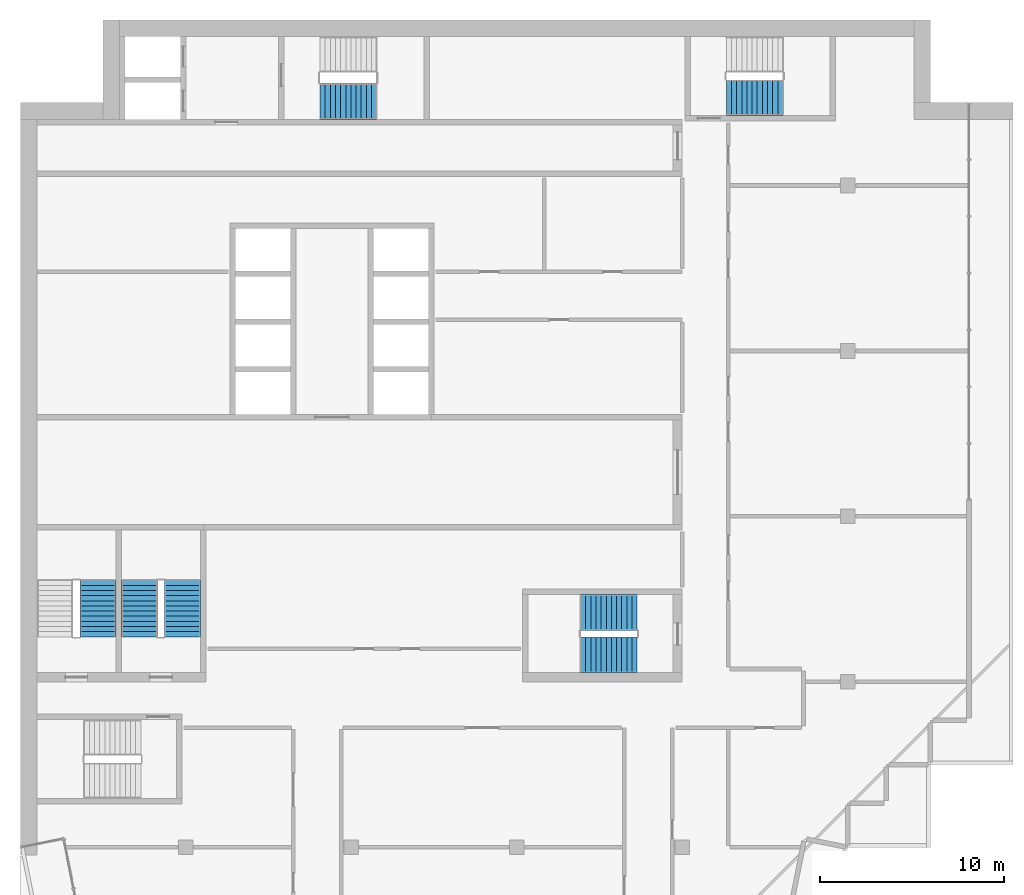
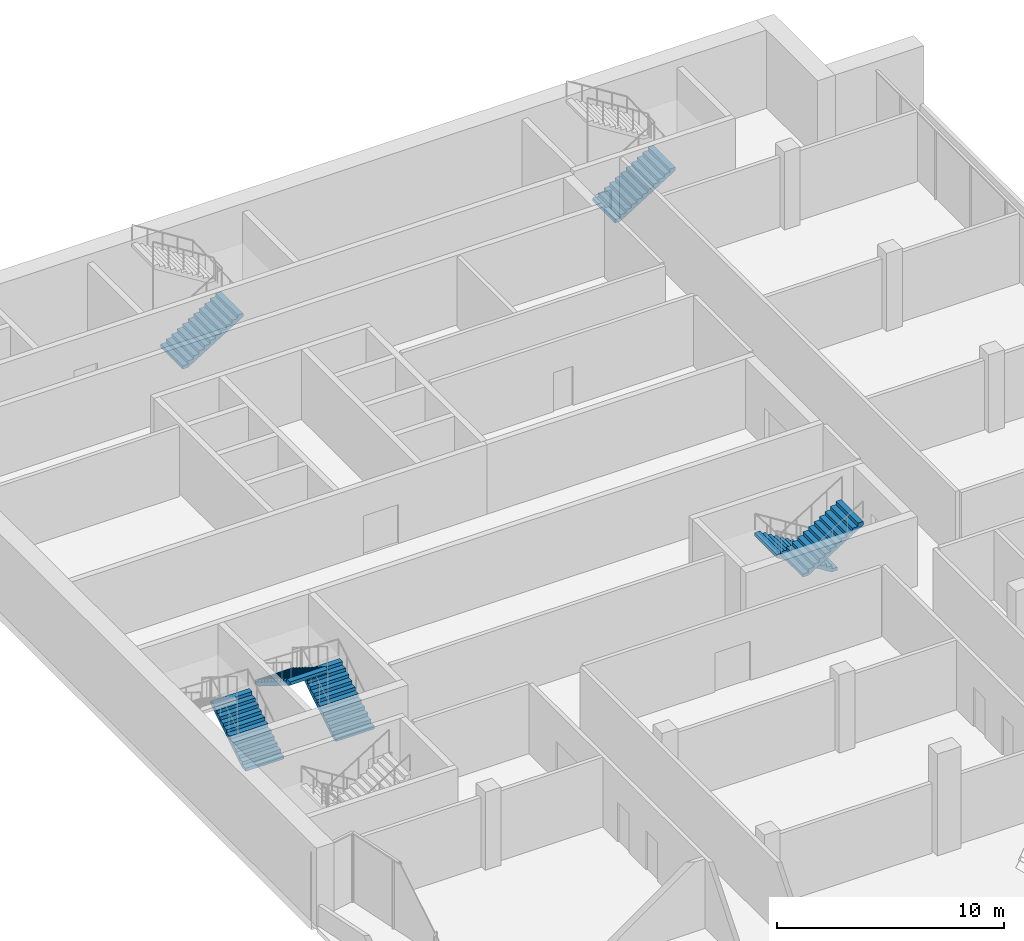
# One storey, part 8 of 11: 7 stair flights, 5 elements without a shape of their own.
"""IFC4 building model written with IfcOpenShell, lengths in metres."""

import ifcopenshell
import ifcopenshell.guid

model = None  # the IFC model being written
_history = None  # IfcOwnerHistory: only IFC2X3 demands one
_inside = {}  # id of a spatial element -> (the spatial element, [elements in it])
_under = {}  # id of a project, library or spatial element -> (it, [spatial elements below it])
_declared = {}  # id of a project -> (the project, [libraries it declares])
_typed = {}  # id of a type object -> (the type object, [elements of that type])
_made_of = {}  # id of a material, layer set ... -> (it, [elements and type objects made of it])


def new_model(schema):
    """Start an empty IFC model of exactly this schema.

    Asked for "IFC4X3", IfcOpenShell would pick the latest addendum, in which some entities
    have other attributes; the version numbers below select the first issue.
    IFC2X3 requires an IfcOwnerHistory on every rooted entity: one is made here for all.
    """
    global model, _history
    if schema == "IFC4X3":
        model = ifcopenshell.file(schema_version=(4, 3, 0, 0))
    else:
        model = ifcopenshell.file(schema=schema)
    _inside.clear()
    _under.clear()
    _declared.clear()
    _typed.clear()
    _made_of.clear()
    _history = None
    if model.schema == "IFC2X3":
        org = make("IfcOrganization", Name="unknown")
        user = make(
            "IfcPersonAndOrganization",
            ThePerson=make("IfcPerson", FamilyName="unknown"),
            TheOrganization=org,
        )
        app = make(
            "IfcApplication",
            ApplicationDeveloper=org,
            Version="unknown",
            ApplicationFullName="unknown",
            ApplicationIdentifier="unknown",
        )
        _history = make(
            "IfcOwnerHistory",
            OwningUser=user,
            OwningApplication=app,
            ChangeAction="ADDED",
            CreationDate=0,
        )
    return model


def make(cls, **values):
    """One entity of the class cls with the attributes given. An attribute that is None is left unset."""
    return model.create_entity(
        cls, **{name: value for name, value in values.items() if value is not None}
    )


def rooted(cls, **values):
    """An entity with a GlobalId (a new one), such as an element, a storey or a relation."""
    return make(cls, GlobalId=ifcopenshell.guid.new(), OwnerHistory=_history, **values)


def si_unit(unit_type, name, prefix=None):
    """IfcSIUnit, for example si_unit("LENGTHUNIT", "METRE", prefix="MILLI")."""
    return make("IfcSIUnit", UnitType=unit_type, Prefix=prefix, Name=name)


def assignment(units):
    """IfcUnitAssignment: the units of a project."""
    return None if units is None else make("IfcUnitAssignment", Units=units)


def point(xyz):
    """IfcCartesianPoint."""
    return None if xyz is None else make("IfcCartesianPoint", Coordinates=xyz)


def direction(xyz):
    """IfcDirection."""
    return None if xyz is None else make("IfcDirection", DirectionRatios=xyz)


def frame(location, z_axis=None, x_axis=None):
    """IfcAxis2Placement3D, a coordinate frame: its origin and axes. An axis left out is left unset."""
    return make(
        "IfcAxis2Placement3D",
        Location=point(location),
        Axis=direction(z_axis),
        RefDirection=direction(x_axis),
    )


def origin():
    """The frame at (0, 0, 0) with its axes left unset."""
    return frame((0.0, 0.0, 0.0))


def place(relative_to, where):
    """IfcLocalPlacement: puts the frame where relative to a parent placement (None: the world)."""
    return make(
        "IfcLocalPlacement", PlacementRelTo=relative_to, RelativePlacement=where
    )


def context(
    kind, dimensions, precision=None, world=None, true_north=None, identifier=None
):
    """IfcGeometricRepresentationContext, for example the 3D "Model" context."""
    return make(
        "IfcGeometricRepresentationContext",
        ContextIdentifier=identifier,
        ContextType=kind,
        CoordinateSpaceDimension=dimensions,
        Precision=precision,
        WorldCoordinateSystem=world,
        TrueNorth=true_north,
    )


def subcontext(parent, identifier, kind, view, scale=None):
    """IfcGeometricRepresentationSubContext, for example "Body" below "Model"."""
    return make(
        "IfcGeometricRepresentationSubContext",
        ContextIdentifier=identifier,
        ContextType=kind,
        ParentContext=parent,
        TargetScale=scale,
        TargetView=view,
    )


def project(units=None, contexts=None):
    """IfcProject with its units and contexts."""
    return rooted(
        "IfcProject",
        Name="project",
        RepresentationContexts=contexts,
        UnitsInContext=assignment(units),
    )


def spatial(cls, under=None, at=None, **own):
    """A site, building, storey or space (cls), placed at a placement, below another one or the project."""
    s = rooted(cls, ObjectPlacement=at, **own)
    if under is not None:
        _under.setdefault(under.id(), (under, []))[1].append(s)
    return s


def polyline(points):
    """IfcPolyline through the points."""
    return make("IfcPolyline", Points=[point(p) for p in points])


def outline(outer, holes=None, kind="AREA"):
    """IfcArbitraryClosedProfileDef: a profile drawn as a closed curve; with holes, ...WithVoids."""
    if holes is None:
        return make("IfcArbitraryClosedProfileDef", ProfileType=kind, OuterCurve=outer)
    return make(
        "IfcArbitraryProfileDefWithVoids",
        ProfileType=kind,
        OuterCurve=outer,
        InnerCurves=holes,
    )


def extrude(swept, where, along, depth):
    """IfcExtrudedAreaSolid: the profile swept, set in the frame where, extruded along a direction by depth."""
    return make(
        "IfcExtrudedAreaSolid",
        SweptArea=swept,
        Position=where,
        ExtrudedDirection=direction(along),
        Depth=depth,
    )


def shape(context_of_items, identifier, shape_type, items):
    """IfcShapeRepresentation: the items that make up one representation, for example the "Body"."""
    return make(
        "IfcShapeRepresentation",
        ContextOfItems=context_of_items,
        RepresentationIdentifier=identifier,
        RepresentationType=shape_type,
        Items=items,
    )


def material(Name=None, Category=None):
    """IfcMaterial."""
    return make("IfcMaterial", Name=Name, Category=Category)


def made_of(thing, what):
    """Note that an element or type object is made of a material, layer set ...; save() writes the relation."""
    if what is not None:
        _made_of.setdefault(what.id(), (what, []))[1].append(thing)
    return thing


def type_object(cls, material=None, **own):
    """A type object (cls), such as IfcWallType, which elements share."""
    return made_of(rooted(cls, **own), material)


def element(
    cls,
    number,
    at=None,
    inside=None,
    cuts=None,
    type_object=None,
    material=None,
    context=None,
    identifier="Body",
    shape_type=None,
    held_by="IfcProductDefinitionShape",
    body=None,
    shapes=None,
    **own,
):
    """One element of the class cls, such as IfcWall. Its Tag is "e" and its number.

    at: its placement. inside: the storey or other place that contains it. cuts: it is an
    opening in that element (IfcRelVoidsElement). A single representation is given by context,
    identifier, shape_type and body (its items); several are given by shapes. held_by: the class
    of the entity that holds the representations. save() writes the other relations.
    """
    e = rooted(cls, Tag="e%d" % number, ObjectPlacement=at, **own)
    if body is not None:
        shapes = [shape(context, identifier, shape_type, body)]
    if shapes is not None:
        e.Representation = make(held_by, Representations=shapes)
    if inside is not None:
        _inside.setdefault(inside.id(), (inside, []))[1].append(e)
    if cuts is not None:
        rooted(
            "IfcRelVoidsElement", RelatingBuildingElement=cuts, RelatedOpeningElement=e
        )
    if type_object is not None:
        _typed.setdefault(type_object.id(), (type_object, []))[1].append(e)
    return made_of(e, material)


def aggregate(whole, parts):
    """IfcRelAggregates: a whole, such as a stair, and the parts it consists of."""
    return rooted("IfcRelAggregates", RelatingObject=whole, RelatedObjects=parts)


def save(model, path):
    """Write the relations noted so far, then the file.

    IfcRelAggregates (storeys below a building ...), IfcRelContainedInSpatialStructure (elements
    in a storey), IfcRelDefinesByType, IfcRelAssociatesMaterial and IfcRelDeclares: one each for
    every whole, place, type object, material and project.
    """
    for whole, parts in _under.values():
        aggregate(whole, parts)
    for where, things in _inside.values():
        rooted(
            "IfcRelContainedInSpatialStructure",
            RelatedElements=things,
            RelatingStructure=where,
        )
    for kind, things in _typed.values():
        rooted("IfcRelDefinesByType", RelatedObjects=things, RelatingType=kind)
    for what, things in _made_of.values():
        rooted("IfcRelAssociatesMaterial", RelatedObjects=things, RelatingMaterial=what)
    for by, libraries in _declared.values():
        rooted("IfcRelDeclares", RelatingContext=by, RelatedDefinitions=libraries)
    model.write(path)


model = new_model("IFC4")

# Units and contexts
model_context = context("Model", 3, precision=1e-05, world=origin(), true_north=direction((0.0, 1.0)))
body_context = subcontext(model_context, "Body", "Model", "MODEL_VIEW")
ifc_project = project(units=[si_unit("LENGTHUNIT", "METRE"), si_unit("AREAUNIT", "SQUARE_METRE"), si_unit("VOLUMEUNIT", "CUBIC_METRE"), si_unit("PLANEANGLEUNIT", "RADIAN"), si_unit("MASSUNIT", "GRAM", prefix="KILO")], contexts=[model_context])

# Site, building, storey
site_placement = place(None, origin())
site = spatial("IfcSite", under=ifc_project, at=site_placement, CompositionType="ELEMENT")
building_placement = place(site_placement, origin())
building = spatial("IfcBuilding", under=site, at=building_placement, Name="Hunhe Ridgeline Campus", CompositionType="ELEMENT")
storey_placement = place(building_placement, frame((0.0, 0.0, 303.0)))
storey = spatial("IfcBuildingStorey", under=building, at=storey_placement, Name="L78 Crown", CompositionType="ELEMENT", Elevation=303.0)

# Stair, stair flight
ifc_material = material(Name="Concrete C40", Category="concrete")
stair_type = type_object("IfcStairType", Name="Reinforced concrete dog-leg stair 1950 Concrete C40", PredefinedType="HALF_TURN_STAIR", material=ifc_material)
stair_1_placement = place(storey_placement, origin())
stair_1 = element("IfcStair", 1, at=stair_1_placement, inside=storey, type_object=stair_type, Name="L78 Crown S1", PredefinedType="HALF_TURN_STAIR")
stair_flight_type = type_object("IfcStairFlightType", Name="Reinforced concrete stair flight 1950 Concrete C40", PredefinedType="STRAIGHT", material=ifc_material)
stair_flight_1_placement = place(storey_placement, frame((16.300048828125, 94.574951171875, 0.0), z_axis=(0.0, 0.0, 1.0), x_axis=(1.0, 0.0, 0.0)))
stair_flight_1 = element("IfcStairFlight", 2, at=stair_flight_1_placement, type_object=stair_flight_type, Name="ST1 flight 1", NumberOfRisers=12, NumberOfTreads=11, PredefinedType="STRAIGHT", RiserHeight=0.175, TreadLength=0.28, context=body_context, shape_type="SweptSolid", body=[
    extrude(outline(polyline([(0.0, 0.0), (0.0, 0.175048828125), (0.280029296875, 0.175048828125), (0.280029296875, 0.35009765625), (0.56005859375, 0.35009765625), (0.56005859375, 0.52490234375), (0.840087890625, 0.52490234375), (0.840087890625, 0.699951171875), (1.1201171875, 0.699951171875), (1.1201171875, 0.875), (1.39990234375, 0.875), (1.39990234375, 1.050048828125), (1.679931640625, 1.050048828125), (1.679931640625, 1.22509765625), (1.9599609375, 1.22509765625), (1.9599609375, 1.39990234375), (2.239990234375, 1.39990234375), (2.239990234375, 1.574951171875), (2.52001953125, 1.574951171875), (2.52001953125, 1.75), (2.800048828125, 1.75), (2.800048828125, 1.925048828125), (3.080078125, 1.925048828125), (3.080078125, 2.10009765625), (3.080078125, 1.748291015625), (0.28271484375, 0.0), (0.0, 0.0)])), frame((0.0, 0.97509765625, 0.0), z_axis=(0.0, -1.0, 0.0), x_axis=(1.0, 0.0, 0.0)), (0.0, 0.0, 1.0), 1.949951171875),
    extrude(outline(polyline([(0.030029296875, 0.030029296875), (0.030029296875, 0.14501953125), (0.31005859375, 0.14501953125), (0.31005859375, 0.320068359375), (0.590087890625, 0.320068359375), (0.590087890625, 0.4951171875), (0.8701171875, 0.4951171875), (0.8701171875, 0.669921875), (1.14990234375, 0.669921875), (1.14990234375, 0.844970703125), (1.429931640625, 0.844970703125), (1.429931640625, 1.02001953125), (1.7099609375, 1.02001953125), (1.7099609375, 1.195068359375), (1.989990234375, 1.195068359375), (1.989990234375, 1.3701171875), (2.27001953125, 1.3701171875), (2.27001953125, 1.544921875), (2.550048828125, 1.544921875), (2.550048828125, 1.719970703125), (2.830078125, 1.719970703125), (2.830078125, 1.89501953125), (3.050048828125, 1.89501953125), (3.050048828125, 1.764892578125), (0.274169921875, 0.030029296875), (0.030029296875, 0.030029296875)])), frame((0.0, -0.070068359375, 0.0), z_axis=(0.0, -1.0, 0.0), x_axis=(1.0, 0.0, 0.0)), (0.0, 0.0, 1.0), 0.019775390625),
    extrude(outline(polyline([(0.030029296875, 0.030029296875), (0.030029296875, 0.14501953125), (0.31005859375, 0.14501953125), (0.31005859375, 0.320068359375), (0.590087890625, 0.320068359375), (0.590087890625, 0.4951171875), (0.8701171875, 0.4951171875), (0.8701171875, 0.669921875), (1.14990234375, 0.669921875), (1.14990234375, 0.844970703125), (1.429931640625, 0.844970703125), (1.429931640625, 1.02001953125), (1.7099609375, 1.02001953125), (1.7099609375, 1.195068359375), (1.989990234375, 1.195068359375), (1.989990234375, 1.3701171875), (2.27001953125, 1.3701171875), (2.27001953125, 1.544921875), (2.550048828125, 1.544921875), (2.550048828125, 1.719970703125), (2.830078125, 1.719970703125), (2.830078125, 1.89501953125), (3.050048828125, 1.89501953125), (3.050048828125, 1.764892578125), (0.274169921875, 0.030029296875), (0.030029296875, 0.030029296875)])), frame((0.0, 0.010009765625, 0.0), z_axis=(0.0, -1.0, 0.0), x_axis=(1.0, 0.0, 0.0)), (0.0, 0.0, 1.0), 0.019775390625),
    extrude(outline(polyline([(0.030029296875, 0.030029296875), (0.030029296875, 0.14501953125), (0.31005859375, 0.14501953125), (0.31005859375, 0.320068359375), (0.590087890625, 0.320068359375), (0.590087890625, 0.4951171875), (0.8701171875, 0.4951171875), (0.8701171875, 0.669921875), (1.14990234375, 0.669921875), (1.14990234375, 0.844970703125), (1.429931640625, 0.844970703125), (1.429931640625, 1.02001953125), (1.7099609375, 1.02001953125), (1.7099609375, 1.195068359375), (1.989990234375, 1.195068359375), (1.989990234375, 1.3701171875), (2.27001953125, 1.3701171875), (2.27001953125, 1.544921875), (2.550048828125, 1.544921875), (2.550048828125, 1.719970703125), (2.830078125, 1.719970703125), (2.830078125, 1.89501953125), (3.050048828125, 1.89501953125), (3.050048828125, 1.764892578125), (0.274169921875, 0.030029296875), (0.030029296875, 0.030029296875)])), frame((0.0, 0.090087890625, 0.0), z_axis=(0.0, -1.0, 0.0), x_axis=(1.0, 0.0, 0.0)), (0.0, 0.0, 1.0), 0.019775390625),
])
aggregate(stair_1, [stair_flight_1])

# Stair, stair flights
stair_2_placement = place(storey_placement, origin())
stair_2 = element("IfcStair", 3, at=stair_2_placement, inside=storey, type_object=stair_type, Name="L78 Crown S2", PredefinedType="HALF_TURN_STAIR")
stair_flight_2_placement = place(storey_placement, frame((33.550048828125, 66.77490234375, 0.0), z_axis=(0.0, 0.0, 1.0), x_axis=(-1.0, 0.0, 0.0)))
stair_flight_2 = element("IfcStairFlight", 4, at=stair_flight_2_placement, type_object=stair_flight_type, Name="ST2 flight 1", NumberOfRisers=12, NumberOfTreads=11, PredefinedType="STRAIGHT", RiserHeight=0.175, TreadLength=0.28, context=body_context, shape_type="SweptSolid", body=[
    extrude(outline(polyline([(0.0, 0.0), (0.0, 0.175048828125), (0.280029296875, 0.175048828125), (0.280029296875, 0.35009765625), (0.56005859375, 0.35009765625), (0.56005859375, 0.52490234375), (0.840087890625, 0.52490234375), (0.840087890625, 0.699951171875), (1.1201171875, 0.699951171875), (1.1201171875, 0.875), (1.39990234375, 0.875), (1.39990234375, 1.050048828125), (1.679931640625, 1.050048828125), (1.679931640625, 1.22509765625), (1.9599609375, 1.22509765625), (1.9599609375, 1.39990234375), (2.239990234375, 1.39990234375), (2.239990234375, 1.574951171875), (2.52001953125, 1.574951171875), (2.52001953125, 1.75), (2.800048828125, 1.75), (2.800048828125, 1.925048828125), (3.080078125, 1.925048828125), (3.080078125, 2.10009765625), (3.080078125, 1.748291015625), (0.28271484375, 0.0), (0.0, 0.0)])), frame((0.0, 0.97509765625, 0.0), z_axis=(0.0, -1.0, 0.0), x_axis=(1.0, 0.0, 0.0)), (0.0, 0.0, 1.0), 1.949951171875),
    extrude(outline(polyline([(0.030029296875, 0.030029296875), (0.030029296875, 0.14501953125), (0.31005859375, 0.14501953125), (0.31005859375, 0.320068359375), (0.590087890625, 0.320068359375), (0.590087890625, 0.4951171875), (0.8701171875, 0.4951171875), (0.8701171875, 0.669921875), (1.14990234375, 0.669921875), (1.14990234375, 0.844970703125), (1.429931640625, 0.844970703125), (1.429931640625, 1.02001953125), (1.7099609375, 1.02001953125), (1.7099609375, 1.195068359375), (1.989990234375, 1.195068359375), (1.989990234375, 1.3701171875), (2.27001953125, 1.3701171875), (2.27001953125, 1.544921875), (2.550048828125, 1.544921875), (2.550048828125, 1.719970703125), (2.830078125, 1.719970703125), (2.830078125, 1.89501953125), (3.050048828125, 1.89501953125), (3.050048828125, 1.764892578125), (0.274169921875, 0.030029296875), (0.030029296875, 0.030029296875)])), frame((0.0, -0.070068359375, 0.0), z_axis=(0.0, -1.0, 0.0), x_axis=(1.0, 0.0, 0.0)), (0.0, 0.0, 1.0), 0.019775390625),
    extrude(outline(polyline([(0.030029296875, 0.030029296875), (0.030029296875, 0.14501953125), (0.31005859375, 0.14501953125), (0.31005859375, 0.320068359375), (0.590087890625, 0.320068359375), (0.590087890625, 0.4951171875), (0.8701171875, 0.4951171875), (0.8701171875, 0.669921875), (1.14990234375, 0.669921875), (1.14990234375, 0.844970703125), (1.429931640625, 0.844970703125), (1.429931640625, 1.02001953125), (1.7099609375, 1.02001953125), (1.7099609375, 1.195068359375), (1.989990234375, 1.195068359375), (1.989990234375, 1.3701171875), (2.27001953125, 1.3701171875), (2.27001953125, 1.544921875), (2.550048828125, 1.544921875), (2.550048828125, 1.719970703125), (2.830078125, 1.719970703125), (2.830078125, 1.89501953125), (3.050048828125, 1.89501953125), (3.050048828125, 1.764892578125), (0.274169921875, 0.030029296875), (0.030029296875, 0.030029296875)])), frame((0.0, 0.010009765625, 0.0), z_axis=(0.0, -1.0, 0.0), x_axis=(1.0, 0.0, 0.0)), (0.0, 0.0, 1.0), 0.019775390625),
    extrude(outline(polyline([(0.030029296875, 0.030029296875), (0.030029296875, 0.14501953125), (0.31005859375, 0.14501953125), (0.31005859375, 0.320068359375), (0.590087890625, 0.320068359375), (0.590087890625, 0.4951171875), (0.8701171875, 0.4951171875), (0.8701171875, 0.669921875), (1.14990234375, 0.669921875), (1.14990234375, 0.844970703125), (1.429931640625, 0.844970703125), (1.429931640625, 1.02001953125), (1.7099609375, 1.02001953125), (1.7099609375, 1.195068359375), (1.989990234375, 1.195068359375), (1.989990234375, 1.3701171875), (2.27001953125, 1.3701171875), (2.27001953125, 1.544921875), (2.550048828125, 1.544921875), (2.550048828125, 1.719970703125), (2.830078125, 1.719970703125), (2.830078125, 1.89501953125), (3.050048828125, 1.89501953125), (3.050048828125, 1.764892578125), (0.274169921875, 0.030029296875), (0.030029296875, 0.030029296875)])), frame((0.0, 0.090087890625, 0.0), z_axis=(0.0, -1.0, 0.0), x_axis=(1.0, 0.0, 0.0)), (0.0, 0.0, 1.0), 0.019775390625),
])
stair_flight_3_placement = place(storey_placement, frame((30.469970703125, 64.47509765625, 2.10009765625), z_axis=(0.0, 0.0, 1.0), x_axis=(1.0, 0.0, 0.0)))
stair_flight_3 = element("IfcStairFlight", 5, at=stair_flight_3_placement, type_object=stair_flight_type, Name="ST2 flight 2", NumberOfRisers=12, NumberOfTreads=11, PredefinedType="STRAIGHT", RiserHeight=0.175, TreadLength=0.28, context=body_context, shape_type="SweptSolid", body=[
    extrude(outline(polyline([(0.0, 0.0), (0.0, 0.175048828125), (0.280029296875, 0.175048828125), (0.280029296875, 0.35009765625), (0.56005859375, 0.35009765625), (0.56005859375, 0.52490234375), (0.840087890625, 0.52490234375), (0.840087890625, 0.699951171875), (1.1201171875, 0.699951171875), (1.1201171875, 0.875), (1.39990234375, 0.875), (1.39990234375, 1.050048828125), (1.679931640625, 1.050048828125), (1.679931640625, 1.22509765625), (1.9599609375, 1.22509765625), (1.9599609375, 1.39990234375), (2.239990234375, 1.39990234375), (2.239990234375, 1.574951171875), (2.52001953125, 1.574951171875), (2.52001953125, 1.75), (2.800048828125, 1.75), (2.800048828125, 1.925048828125), (3.080078125, 1.925048828125), (3.080078125, 2.10009765625), (3.080078125, 1.748291015625), (0.28271484375, 0.0), (0.0, 0.0)])), frame((0.0, 0.97509765625, 0.0), z_axis=(0.0, -1.0, 0.0), x_axis=(1.0, 0.0, 0.0)), (0.0, 0.0, 1.0), 1.949951171875),
    extrude(outline(polyline([(0.030029296875, 0.030029296875), (0.030029296875, 0.14501953125), (0.31005859375, 0.14501953125), (0.31005859375, 0.320068359375), (0.590087890625, 0.320068359375), (0.590087890625, 0.4951171875), (0.8701171875, 0.4951171875), (0.8701171875, 0.669921875), (1.14990234375, 0.669921875), (1.14990234375, 0.844970703125), (1.429931640625, 0.844970703125), (1.429931640625, 1.02001953125), (1.7099609375, 1.02001953125), (1.7099609375, 1.195068359375), (1.989990234375, 1.195068359375), (1.989990234375, 1.3701171875), (2.27001953125, 1.3701171875), (2.27001953125, 1.544921875), (2.550048828125, 1.544921875), (2.550048828125, 1.719970703125), (2.830078125, 1.719970703125), (2.830078125, 1.89501953125), (3.050048828125, 1.89501953125), (3.050048828125, 1.764892578125), (0.274169921875, 0.030029296875), (0.030029296875, 0.030029296875)])), frame((0.0, -0.070068359375, 0.0), z_axis=(0.0, -1.0, 0.0), x_axis=(1.0, 0.0, 0.0)), (0.0, 0.0, 1.0), 0.019775390625),
    extrude(outline(polyline([(0.030029296875, 0.030029296875), (0.030029296875, 0.14501953125), (0.31005859375, 0.14501953125), (0.31005859375, 0.320068359375), (0.590087890625, 0.320068359375), (0.590087890625, 0.4951171875), (0.8701171875, 0.4951171875), (0.8701171875, 0.669921875), (1.14990234375, 0.669921875), (1.14990234375, 0.844970703125), (1.429931640625, 0.844970703125), (1.429931640625, 1.02001953125), (1.7099609375, 1.02001953125), (1.7099609375, 1.195068359375), (1.989990234375, 1.195068359375), (1.989990234375, 1.3701171875), (2.27001953125, 1.3701171875), (2.27001953125, 1.544921875), (2.550048828125, 1.544921875), (2.550048828125, 1.719970703125), (2.830078125, 1.719970703125), (2.830078125, 1.89501953125), (3.050048828125, 1.89501953125), (3.050048828125, 1.764892578125), (0.274169921875, 0.030029296875), (0.030029296875, 0.030029296875)])), frame((0.0, 0.010009765625, 0.0), z_axis=(0.0, -1.0, 0.0), x_axis=(1.0, 0.0, 0.0)), (0.0, 0.0, 1.0), 0.019775390625),
    extrude(outline(polyline([(0.030029296875, 0.030029296875), (0.030029296875, 0.14501953125), (0.31005859375, 0.14501953125), (0.31005859375, 0.320068359375), (0.590087890625, 0.320068359375), (0.590087890625, 0.4951171875), (0.8701171875, 0.4951171875), (0.8701171875, 0.669921875), (1.14990234375, 0.669921875), (1.14990234375, 0.844970703125), (1.429931640625, 0.844970703125), (1.429931640625, 1.02001953125), (1.7099609375, 1.02001953125), (1.7099609375, 1.195068359375), (1.989990234375, 1.195068359375), (1.989990234375, 1.3701171875), (2.27001953125, 1.3701171875), (2.27001953125, 1.544921875), (2.550048828125, 1.544921875), (2.550048828125, 1.719970703125), (2.830078125, 1.719970703125), (2.830078125, 1.89501953125), (3.050048828125, 1.89501953125), (3.050048828125, 1.764892578125), (0.274169921875, 0.030029296875), (0.030029296875, 0.030029296875)])), frame((0.0, 0.090087890625, 0.0), z_axis=(0.0, -1.0, 0.0), x_axis=(1.0, 0.0, 0.0)), (0.0, 0.0, 1.0), 0.019775390625),
])
aggregate(stair_2, [stair_flight_2, stair_flight_3])

# Stair, stair flight
stair_3_placement = place(storey_placement, origin())
stair_3 = element("IfcStair", 6, at=stair_3_placement, inside=storey, type_object=stair_type, Name="L78 Crown S3", PredefinedType="HALF_TURN_STAIR")
stair_flight_4_placement = place(storey_placement, frame((4.22509765625, 65.449951171875, 0.0), z_axis=(0.0, 0.0, 1.0), x_axis=(0.0, 1.0, 0.0)))
stair_flight_4 = element("IfcStairFlight", 7, at=stair_flight_4_placement, type_object=stair_flight_type, Name="ST3 flight 1", NumberOfRisers=12, NumberOfTreads=11, PredefinedType="STRAIGHT", RiserHeight=0.175, TreadLength=0.28, context=body_context, shape_type="SweptSolid", body=[
    extrude(outline(polyline([(0.0, 0.0), (0.0, 0.175048828125), (0.280029296875, 0.175048828125), (0.280029296875, 0.35009765625), (0.56005859375, 0.35009765625), (0.56005859375, 0.52490234375), (0.840087890625, 0.52490234375), (0.840087890625, 0.699951171875), (1.1201171875, 0.699951171875), (1.1201171875, 0.875), (1.39990234375, 0.875), (1.39990234375, 1.050048828125), (1.679931640625, 1.050048828125), (1.679931640625, 1.22509765625), (1.9599609375, 1.22509765625), (1.9599609375, 1.39990234375), (2.239990234375, 1.39990234375), (2.239990234375, 1.574951171875), (2.52001953125, 1.574951171875), (2.52001953125, 1.75), (2.800048828125, 1.75), (2.800048828125, 1.925048828125), (3.080078125, 1.925048828125), (3.080078125, 2.10009765625), (3.080078125, 1.748291015625), (0.28271484375, 0.0), (0.0, 0.0)])), frame((0.0, 0.97509765625, 0.0), z_axis=(0.0, -1.0, 0.0), x_axis=(1.0, 0.0, 0.0)), (0.0, 0.0, 1.0), 1.949951171875),
    extrude(outline(polyline([(0.030029296875, 0.030029296875), (0.030029296875, 0.14501953125), (0.31005859375, 0.14501953125), (0.31005859375, 0.320068359375), (0.590087890625, 0.320068359375), (0.590087890625, 0.4951171875), (0.8701171875, 0.4951171875), (0.8701171875, 0.669921875), (1.14990234375, 0.669921875), (1.14990234375, 0.844970703125), (1.429931640625, 0.844970703125), (1.429931640625, 1.02001953125), (1.7099609375, 1.02001953125), (1.7099609375, 1.195068359375), (1.989990234375, 1.195068359375), (1.989990234375, 1.3701171875), (2.27001953125, 1.3701171875), (2.27001953125, 1.544921875), (2.550048828125, 1.544921875), (2.550048828125, 1.719970703125), (2.830078125, 1.719970703125), (2.830078125, 1.89501953125), (3.050048828125, 1.89501953125), (3.050048828125, 1.764892578125), (0.274169921875, 0.030029296875), (0.030029296875, 0.030029296875)])), frame((0.0, -0.070068359375, 0.0), z_axis=(0.0, -1.0, 0.0), x_axis=(1.0, 0.0, 0.0)), (0.0, 0.0, 1.0), 0.019775390625),
    extrude(outline(polyline([(0.030029296875, 0.030029296875), (0.030029296875, 0.14501953125), (0.31005859375, 0.14501953125), (0.31005859375, 0.320068359375), (0.590087890625, 0.320068359375), (0.590087890625, 0.4951171875), (0.8701171875, 0.4951171875), (0.8701171875, 0.669921875), (1.14990234375, 0.669921875), (1.14990234375, 0.844970703125), (1.429931640625, 0.844970703125), (1.429931640625, 1.02001953125), (1.7099609375, 1.02001953125), (1.7099609375, 1.195068359375), (1.989990234375, 1.195068359375), (1.989990234375, 1.3701171875), (2.27001953125, 1.3701171875), (2.27001953125, 1.544921875), (2.550048828125, 1.544921875), (2.550048828125, 1.719970703125), (2.830078125, 1.719970703125), (2.830078125, 1.89501953125), (3.050048828125, 1.89501953125), (3.050048828125, 1.764892578125), (0.274169921875, 0.030029296875), (0.030029296875, 0.030029296875)])), frame((0.0, 0.010009765625, 0.0), z_axis=(0.0, -1.0, 0.0), x_axis=(1.0, 0.0, 0.0)), (0.0, 0.0, 1.0), 0.019775390625),
    extrude(outline(polyline([(0.030029296875, 0.030029296875), (0.030029296875, 0.14501953125), (0.31005859375, 0.14501953125), (0.31005859375, 0.320068359375), (0.590087890625, 0.320068359375), (0.590087890625, 0.4951171875), (0.8701171875, 0.4951171875), (0.8701171875, 0.669921875), (1.14990234375, 0.669921875), (1.14990234375, 0.844970703125), (1.429931640625, 0.844970703125), (1.429931640625, 1.02001953125), (1.7099609375, 1.02001953125), (1.7099609375, 1.195068359375), (1.989990234375, 1.195068359375), (1.989990234375, 1.3701171875), (2.27001953125, 1.3701171875), (2.27001953125, 1.544921875), (2.550048828125, 1.544921875), (2.550048828125, 1.719970703125), (2.830078125, 1.719970703125), (2.830078125, 1.89501953125), (3.050048828125, 1.89501953125), (3.050048828125, 1.764892578125), (0.274169921875, 0.030029296875), (0.030029296875, 0.030029296875)])), frame((0.0, 0.090087890625, 0.0), z_axis=(0.0, -1.0, 0.0), x_axis=(1.0, 0.0, 0.0)), (0.0, 0.0, 1.0), 0.019775390625),
])
aggregate(stair_3, [stair_flight_4])

# Stair, stair flights
stair_4_placement = place(storey_placement, origin())
stair_4 = element("IfcStair", 8, at=stair_4_placement, inside=storey, type_object=stair_type, Name="L78 Crown S4", PredefinedType="HALF_TURN_STAIR")
stair_flight_5_placement = place(storey_placement, frame((8.824951171875, 65.449951171875, 0.0), z_axis=(0.0, 0.0, 1.0), x_axis=(0.0, 1.0, 0.0)))
stair_flight_5 = element("IfcStairFlight", 9, at=stair_flight_5_placement, type_object=stair_flight_type, Name="ST4 flight 1", NumberOfRisers=12, NumberOfTreads=11, PredefinedType="STRAIGHT", RiserHeight=0.175, TreadLength=0.28, context=body_context, shape_type="SweptSolid", body=[
    extrude(outline(polyline([(0.0, 0.0), (0.0, 0.175048828125), (0.280029296875, 0.175048828125), (0.280029296875, 0.35009765625), (0.56005859375, 0.35009765625), (0.56005859375, 0.52490234375), (0.840087890625, 0.52490234375), (0.840087890625, 0.699951171875), (1.1201171875, 0.699951171875), (1.1201171875, 0.875), (1.39990234375, 0.875), (1.39990234375, 1.050048828125), (1.679931640625, 1.050048828125), (1.679931640625, 1.22509765625), (1.9599609375, 1.22509765625), (1.9599609375, 1.39990234375), (2.239990234375, 1.39990234375), (2.239990234375, 1.574951171875), (2.52001953125, 1.574951171875), (2.52001953125, 1.75), (2.800048828125, 1.75), (2.800048828125, 1.925048828125), (3.080078125, 1.925048828125), (3.080078125, 2.10009765625), (3.080078125, 1.748291015625), (0.28271484375, 0.0), (0.0, 0.0)])), frame((0.0, 0.97509765625, 0.0), z_axis=(0.0, -1.0, 0.0), x_axis=(1.0, 0.0, 0.0)), (0.0, 0.0, 1.0), 1.949951171875),
    extrude(outline(polyline([(0.030029296875, 0.030029296875), (0.030029296875, 0.14501953125), (0.31005859375, 0.14501953125), (0.31005859375, 0.320068359375), (0.590087890625, 0.320068359375), (0.590087890625, 0.4951171875), (0.8701171875, 0.4951171875), (0.8701171875, 0.669921875), (1.14990234375, 0.669921875), (1.14990234375, 0.844970703125), (1.429931640625, 0.844970703125), (1.429931640625, 1.02001953125), (1.7099609375, 1.02001953125), (1.7099609375, 1.195068359375), (1.989990234375, 1.195068359375), (1.989990234375, 1.3701171875), (2.27001953125, 1.3701171875), (2.27001953125, 1.544921875), (2.550048828125, 1.544921875), (2.550048828125, 1.719970703125), (2.830078125, 1.719970703125), (2.830078125, 1.89501953125), (3.050048828125, 1.89501953125), (3.050048828125, 1.764892578125), (0.274169921875, 0.030029296875), (0.030029296875, 0.030029296875)])), frame((0.0, -0.070068359375, 0.0), z_axis=(0.0, -1.0, 0.0), x_axis=(1.0, 0.0, 0.0)), (0.0, 0.0, 1.0), 0.019775390625),
    extrude(outline(polyline([(0.030029296875, 0.030029296875), (0.030029296875, 0.14501953125), (0.31005859375, 0.14501953125), (0.31005859375, 0.320068359375), (0.590087890625, 0.320068359375), (0.590087890625, 0.4951171875), (0.8701171875, 0.4951171875), (0.8701171875, 0.669921875), (1.14990234375, 0.669921875), (1.14990234375, 0.844970703125), (1.429931640625, 0.844970703125), (1.429931640625, 1.02001953125), (1.7099609375, 1.02001953125), (1.7099609375, 1.195068359375), (1.989990234375, 1.195068359375), (1.989990234375, 1.3701171875), (2.27001953125, 1.3701171875), (2.27001953125, 1.544921875), (2.550048828125, 1.544921875), (2.550048828125, 1.719970703125), (2.830078125, 1.719970703125), (2.830078125, 1.89501953125), (3.050048828125, 1.89501953125), (3.050048828125, 1.764892578125), (0.274169921875, 0.030029296875), (0.030029296875, 0.030029296875)])), frame((0.0, 0.010009765625, 0.0), z_axis=(0.0, -1.0, 0.0), x_axis=(1.0, 0.0, 0.0)), (0.0, 0.0, 1.0), 0.019775390625),
    extrude(outline(polyline([(0.030029296875, 0.030029296875), (0.030029296875, 0.14501953125), (0.31005859375, 0.14501953125), (0.31005859375, 0.320068359375), (0.590087890625, 0.320068359375), (0.590087890625, 0.4951171875), (0.8701171875, 0.4951171875), (0.8701171875, 0.669921875), (1.14990234375, 0.669921875), (1.14990234375, 0.844970703125), (1.429931640625, 0.844970703125), (1.429931640625, 1.02001953125), (1.7099609375, 1.02001953125), (1.7099609375, 1.195068359375), (1.989990234375, 1.195068359375), (1.989990234375, 1.3701171875), (2.27001953125, 1.3701171875), (2.27001953125, 1.544921875), (2.550048828125, 1.544921875), (2.550048828125, 1.719970703125), (2.830078125, 1.719970703125), (2.830078125, 1.89501953125), (3.050048828125, 1.89501953125), (3.050048828125, 1.764892578125), (0.274169921875, 0.030029296875), (0.030029296875, 0.030029296875)])), frame((0.0, 0.090087890625, 0.0), z_axis=(0.0, -1.0, 0.0), x_axis=(1.0, 0.0, 0.0)), (0.0, 0.0, 1.0), 0.019775390625),
])
stair_flight_6_placement = place(storey_placement, frame((6.47509765625, 68.530029296875, 2.10009765625), z_axis=(0.0, 0.0, 1.0), x_axis=(0.0, -1.0, 0.0)))
stair_flight_6 = element("IfcStairFlight", 10, at=stair_flight_6_placement, type_object=stair_flight_type, Name="ST4 flight 2", NumberOfRisers=12, NumberOfTreads=11, PredefinedType="STRAIGHT", RiserHeight=0.175, TreadLength=0.28, context=body_context, shape_type="SweptSolid", body=[
    extrude(outline(polyline([(0.0, 0.0), (0.0, 0.175048828125), (0.280029296875, 0.175048828125), (0.280029296875, 0.35009765625), (0.56005859375, 0.35009765625), (0.56005859375, 0.52490234375), (0.840087890625, 0.52490234375), (0.840087890625, 0.699951171875), (1.1201171875, 0.699951171875), (1.1201171875, 0.875), (1.39990234375, 0.875), (1.39990234375, 1.050048828125), (1.679931640625, 1.050048828125), (1.679931640625, 1.22509765625), (1.9599609375, 1.22509765625), (1.9599609375, 1.39990234375), (2.239990234375, 1.39990234375), (2.239990234375, 1.574951171875), (2.52001953125, 1.574951171875), (2.52001953125, 1.75), (2.800048828125, 1.75), (2.800048828125, 1.925048828125), (3.080078125, 1.925048828125), (3.080078125, 2.10009765625), (3.080078125, 1.748291015625), (0.28271484375, 0.0), (0.0, 0.0)])), frame((0.0, 0.97509765625, 0.0), z_axis=(0.0, -1.0, 0.0), x_axis=(1.0, 0.0, 0.0)), (0.0, 0.0, 1.0), 1.949951171875),
    extrude(outline(polyline([(0.030029296875, 0.030029296875), (0.030029296875, 0.14501953125), (0.31005859375, 0.14501953125), (0.31005859375, 0.320068359375), (0.590087890625, 0.320068359375), (0.590087890625, 0.4951171875), (0.8701171875, 0.4951171875), (0.8701171875, 0.669921875), (1.14990234375, 0.669921875), (1.14990234375, 0.844970703125), (1.429931640625, 0.844970703125), (1.429931640625, 1.02001953125), (1.7099609375, 1.02001953125), (1.7099609375, 1.195068359375), (1.989990234375, 1.195068359375), (1.989990234375, 1.3701171875), (2.27001953125, 1.3701171875), (2.27001953125, 1.544921875), (2.550048828125, 1.544921875), (2.550048828125, 1.719970703125), (2.830078125, 1.719970703125), (2.830078125, 1.89501953125), (3.050048828125, 1.89501953125), (3.050048828125, 1.764892578125), (0.274169921875, 0.030029296875), (0.030029296875, 0.030029296875)])), frame((0.0, -0.070068359375, 0.0), z_axis=(0.0, -1.0, 0.0), x_axis=(1.0, 0.0, 0.0)), (0.0, 0.0, 1.0), 0.019775390625),
    extrude(outline(polyline([(0.030029296875, 0.030029296875), (0.030029296875, 0.14501953125), (0.31005859375, 0.14501953125), (0.31005859375, 0.320068359375), (0.590087890625, 0.320068359375), (0.590087890625, 0.4951171875), (0.8701171875, 0.4951171875), (0.8701171875, 0.669921875), (1.14990234375, 0.669921875), (1.14990234375, 0.844970703125), (1.429931640625, 0.844970703125), (1.429931640625, 1.02001953125), (1.7099609375, 1.02001953125), (1.7099609375, 1.195068359375), (1.989990234375, 1.195068359375), (1.989990234375, 1.3701171875), (2.27001953125, 1.3701171875), (2.27001953125, 1.544921875), (2.550048828125, 1.544921875), (2.550048828125, 1.719970703125), (2.830078125, 1.719970703125), (2.830078125, 1.89501953125), (3.050048828125, 1.89501953125), (3.050048828125, 1.764892578125), (0.274169921875, 0.030029296875), (0.030029296875, 0.030029296875)])), frame((0.0, 0.010009765625, 0.0), z_axis=(0.0, -1.0, 0.0), x_axis=(1.0, 0.0, 0.0)), (0.0, 0.0, 1.0), 0.019775390625),
    extrude(outline(polyline([(0.030029296875, 0.030029296875), (0.030029296875, 0.14501953125), (0.31005859375, 0.14501953125), (0.31005859375, 0.320068359375), (0.590087890625, 0.320068359375), (0.590087890625, 0.4951171875), (0.8701171875, 0.4951171875), (0.8701171875, 0.669921875), (1.14990234375, 0.669921875), (1.14990234375, 0.844970703125), (1.429931640625, 0.844970703125), (1.429931640625, 1.02001953125), (1.7099609375, 1.02001953125), (1.7099609375, 1.195068359375), (1.989990234375, 1.195068359375), (1.989990234375, 1.3701171875), (2.27001953125, 1.3701171875), (2.27001953125, 1.544921875), (2.550048828125, 1.544921875), (2.550048828125, 1.719970703125), (2.830078125, 1.719970703125), (2.830078125, 1.89501953125), (3.050048828125, 1.89501953125), (3.050048828125, 1.764892578125), (0.274169921875, 0.030029296875), (0.030029296875, 0.030029296875)])), frame((0.0, 0.090087890625, 0.0), z_axis=(0.0, -1.0, 0.0), x_axis=(1.0, 0.0, 0.0)), (0.0, 0.0, 1.0), 0.019775390625),
])
aggregate(stair_4, [stair_flight_5, stair_flight_6])

# Stair, stair flight
stair_5_placement = place(storey_placement, origin())
stair_5 = element("IfcStair", 11, at=stair_5_placement, inside=storey, type_object=stair_type, Name="L78 Crown E1", PredefinedType="HALF_TURN_STAIR")
stair_flight_7_placement = place(storey_placement, frame((38.39990234375, 94.77490234375, 0.0), z_axis=(0.0, 0.0, 1.0), x_axis=(1.0, 0.0, 0.0)))
stair_flight_7 = element("IfcStairFlight", 12, at=stair_flight_7_placement, type_object=stair_flight_type, Name="ST5 flight 1", NumberOfRisers=12, NumberOfTreads=11, PredefinedType="STRAIGHT", RiserHeight=0.175, TreadLength=0.28, context=body_context, shape_type="SweptSolid", body=[
    extrude(outline(polyline([(0.0, 0.0), (0.0, 0.175048828125), (0.280029296875, 0.175048828125), (0.280029296875, 0.35009765625), (0.56005859375, 0.35009765625), (0.56005859375, 0.52490234375), (0.840087890625, 0.52490234375), (0.840087890625, 0.699951171875), (1.1201171875, 0.699951171875), (1.1201171875, 0.875), (1.39990234375, 0.875), (1.39990234375, 1.050048828125), (1.679931640625, 1.050048828125), (1.679931640625, 1.22509765625), (1.9599609375, 1.22509765625), (1.9599609375, 1.39990234375), (2.239990234375, 1.39990234375), (2.239990234375, 1.574951171875), (2.52001953125, 1.574951171875), (2.52001953125, 1.75), (2.800048828125, 1.75), (2.800048828125, 1.925048828125), (3.080078125, 1.925048828125), (3.080078125, 2.10009765625), (3.080078125, 1.748291015625), (0.28271484375, 0.0), (0.0, 0.0)])), frame((0.0, 0.97509765625, 0.0), z_axis=(0.0, -1.0, 0.0), x_axis=(1.0, 0.0, 0.0)), (0.0, 0.0, 1.0), 1.949951171875),
    extrude(outline(polyline([(0.030029296875, 0.030029296875), (0.030029296875, 0.14501953125), (0.31005859375, 0.14501953125), (0.31005859375, 0.320068359375), (0.590087890625, 0.320068359375), (0.590087890625, 0.4951171875), (0.8701171875, 0.4951171875), (0.8701171875, 0.669921875), (1.14990234375, 0.669921875), (1.14990234375, 0.844970703125), (1.429931640625, 0.844970703125), (1.429931640625, 1.02001953125), (1.7099609375, 1.02001953125), (1.7099609375, 1.195068359375), (1.989990234375, 1.195068359375), (1.989990234375, 1.3701171875), (2.27001953125, 1.3701171875), (2.27001953125, 1.544921875), (2.550048828125, 1.544921875), (2.550048828125, 1.719970703125), (2.830078125, 1.719970703125), (2.830078125, 1.89501953125), (3.050048828125, 1.89501953125), (3.050048828125, 1.764892578125), (0.274169921875, 0.030029296875), (0.030029296875, 0.030029296875)])), frame((0.0, -0.070068359375, 0.0), z_axis=(0.0, -1.0, 0.0), x_axis=(1.0, 0.0, 0.0)), (0.0, 0.0, 1.0), 0.019775390625),
    extrude(outline(polyline([(0.030029296875, 0.030029296875), (0.030029296875, 0.14501953125), (0.31005859375, 0.14501953125), (0.31005859375, 0.320068359375), (0.590087890625, 0.320068359375), (0.590087890625, 0.4951171875), (0.8701171875, 0.4951171875), (0.8701171875, 0.669921875), (1.14990234375, 0.669921875), (1.14990234375, 0.844970703125), (1.429931640625, 0.844970703125), (1.429931640625, 1.02001953125), (1.7099609375, 1.02001953125), (1.7099609375, 1.195068359375), (1.989990234375, 1.195068359375), (1.989990234375, 1.3701171875), (2.27001953125, 1.3701171875), (2.27001953125, 1.544921875), (2.550048828125, 1.544921875), (2.550048828125, 1.719970703125), (2.830078125, 1.719970703125), (2.830078125, 1.89501953125), (3.050048828125, 1.89501953125), (3.050048828125, 1.764892578125), (0.274169921875, 0.030029296875), (0.030029296875, 0.030029296875)])), frame((0.0, 0.010009765625, 0.0), z_axis=(0.0, -1.0, 0.0), x_axis=(1.0, 0.0, 0.0)), (0.0, 0.0, 1.0), 0.019775390625),
    extrude(outline(polyline([(0.030029296875, 0.030029296875), (0.030029296875, 0.14501953125), (0.31005859375, 0.14501953125), (0.31005859375, 0.320068359375), (0.590087890625, 0.320068359375), (0.590087890625, 0.4951171875), (0.8701171875, 0.4951171875), (0.8701171875, 0.669921875), (1.14990234375, 0.669921875), (1.14990234375, 0.844970703125), (1.429931640625, 0.844970703125), (1.429931640625, 1.02001953125), (1.7099609375, 1.02001953125), (1.7099609375, 1.195068359375), (1.989990234375, 1.195068359375), (1.989990234375, 1.3701171875), (2.27001953125, 1.3701171875), (2.27001953125, 1.544921875), (2.550048828125, 1.544921875), (2.550048828125, 1.719970703125), (2.830078125, 1.719970703125), (2.830078125, 1.89501953125), (3.050048828125, 1.89501953125), (3.050048828125, 1.764892578125), (0.274169921875, 0.030029296875), (0.030029296875, 0.030029296875)])), frame((0.0, 0.090087890625, 0.0), z_axis=(0.0, -1.0, 0.0), x_axis=(1.0, 0.0, 0.0)), (0.0, 0.0, 1.0), 0.019775390625),
])
aggregate(stair_5, [stair_flight_7])

save(model, "model.ifc")
